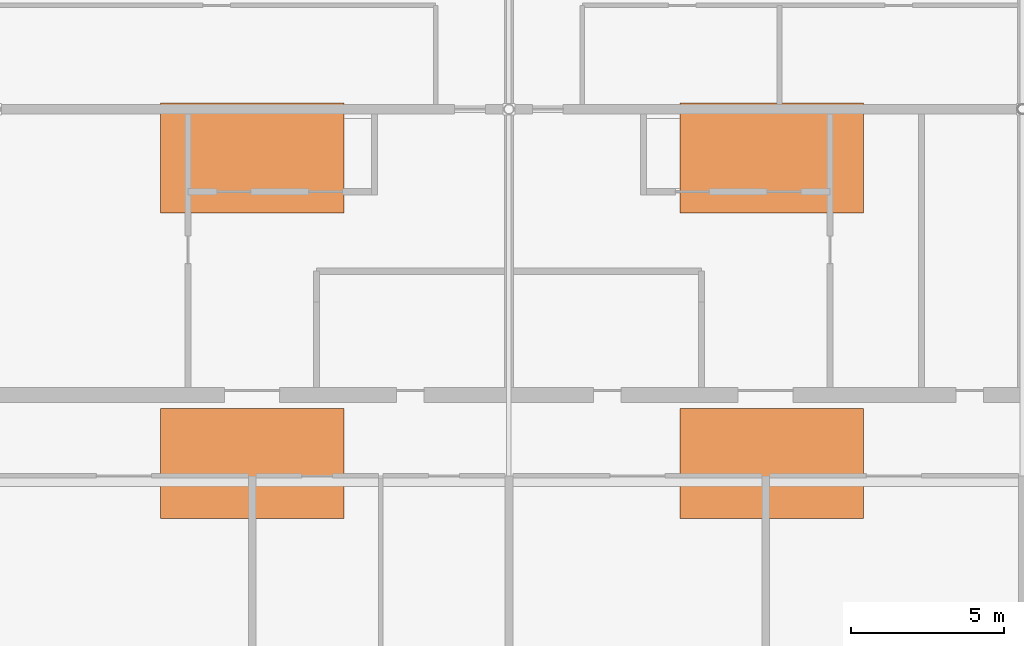
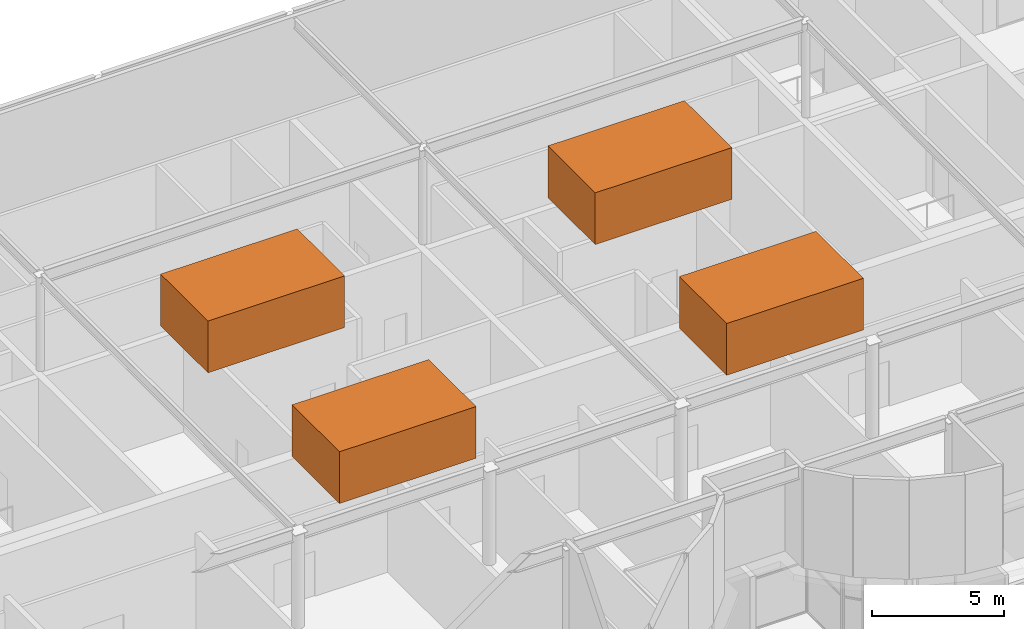
# One storey, part 25 of 25: 4 proxies.
"""IFC4 building model written with IfcOpenShell, lengths in metres."""

from ifc_helpers import new_model, si_unit, direction, frame, origin, origin_2d, place, context, subcontext, project, spatial, rectangle, extrude, source, transform, mapped, material, type_object, element, save


model = new_model("IFC4")

# Units and contexts
model_context = context("Model", 3, precision=1e-05, world=origin(), true_north=direction((0.0, 1.0)))
body_context = subcontext(model_context, "Body", "Model", "MODEL_VIEW")
ifc_project = project(units=[si_unit("LENGTHUNIT", "METRE"), si_unit("AREAUNIT", "SQUARE_METRE"), si_unit("VOLUMEUNIT", "CUBIC_METRE"), si_unit("PLANEANGLEUNIT", "RADIAN"), si_unit("MASSUNIT", "GRAM", prefix="KILO")], contexts=[model_context])

# Site, building, storey
site_placement = place(None, origin())
site = spatial("IfcSite", under=ifc_project, at=site_placement, CompositionType="ELEMENT")
building_placement = place(site_placement, origin())
building = spatial("IfcBuilding", under=site, at=building_placement, Name="Vanashikhar Sky Hotel", CompositionType="ELEMENT")
storey_placement = place(building_placement, frame((0.0, 0.0, 329.699951171875)))
storey = spatial("IfcBuildingStorey", under=building, at=storey_placement, Name="L78", CompositionType="ELEMENT", Elevation=329.699951171875)

# Proxies
ifc_material = material(Name="Galvanised steel", Category="steel")
building_element_proxy_type = type_object("IfcBuildingElementProxyType", Name="Rooftop air handling unit", PredefinedType="USERDEFINED", material=ifc_material)
shared_shape = source(origin(), body_context, "Body", "SweptSolid", [
    extrude(rectangle(XDim=6.0, YDim=3.60009765625, at=origin_2d()), origin(), (0.0, 0.0, 1.0), 2.39990234375),
])
for number, where, z_axis, x_axis, name in (
    (1, (42.0, 20.0, 5.0), (0.0, 0.0, 1.0), (1.0, 0.0, 0.0), "Rooftop air handling unit 1"),
    (2, (59.0, 20.0, 5.0), (0.0, 0.0, 1.0), (1.0, 0.0, 0.0), "Rooftop air handling unit 2"),
    (3, (42.0, 30.0, 5.0), (0.0, 0.0, 1.0), (1.0, 0.0, 0.0), "Rooftop air handling unit 3"),
    (4, (59.0, 30.0, 5.0), (0.0, 0.0, 1.0), (1.0, 0.0, 0.0), "Rooftop air handling unit 4"),
):
    element("IfcBuildingElementProxy", number, at=place(storey_placement, frame(where, z_axis=z_axis, x_axis=x_axis)), inside=storey, type_object=building_element_proxy_type, Name=name, ObjectType="PLANT UNIT", PredefinedType="USERDEFINED", context=body_context, shape_type="MappedRepresentation", body=[
        mapped(shared_shape, transform((0.0, 0.0, 0.0), scale=1.0)),
    ])

save(model, "model.ifc")
